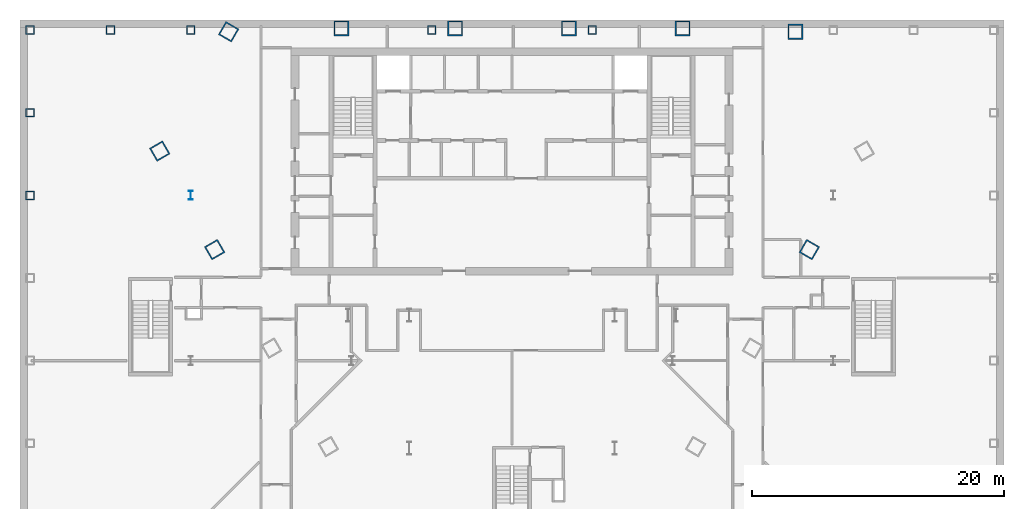
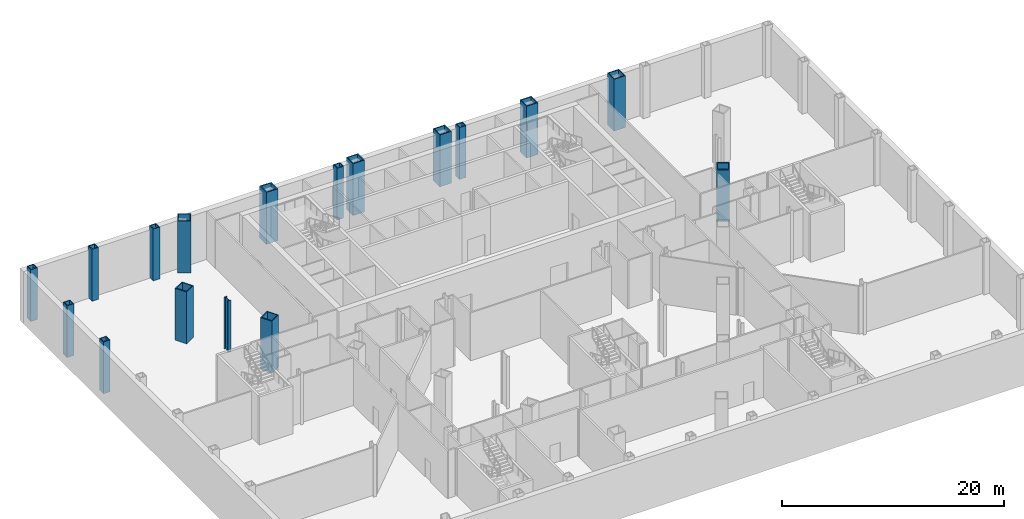
# One storey, part 2 of 17: 17 columns.
"""IFC4 building model written with IfcOpenShell, lengths in metres."""

from ifc_helpers import new_model, si_unit, direction, frame, origin, origin_2d, place, context, subcontext, project, spatial, hollow_rectangle, i_section, extrude, material, material_profile, profile_set, type_object, element, save


model = new_model("IFC4")

# Units and contexts
model_context = context("Model", 3, precision=1e-05, world=origin(), true_north=direction((0.0, 1.0)))
body_context = subcontext(model_context, "Body", "Model", "MODEL_VIEW")
ifc_project = project(units=[si_unit("LENGTHUNIT", "METRE"), si_unit("AREAUNIT", "SQUARE_METRE"), si_unit("VOLUMEUNIT", "CUBIC_METRE"), si_unit("PLANEANGLEUNIT", "RADIAN"), si_unit("MASSUNIT", "GRAM", prefix="KILO")], contexts=[model_context])

# Site, building, storey
site_placement = place(None, origin())
site = spatial("IfcSite", under=ifc_project, at=site_placement, CompositionType="ELEMENT")
building_placement = place(site_placement, origin())
building = spatial("IfcBuilding", under=site, at=building_placement, Name="Njiva Tower", CompositionType="ELEMENT")
storey_placement = place(building_placement, frame((0.0, 0.0, -11.4)))
storey = spatial("IfcBuildingStorey", under=building, at=storey_placement, Name="B2", CompositionType="ELEMENT", Elevation=-11.4)

# Columns
ifc_material = material(Name="Steel S355 J2", Category="steel")
ifc_material_profile_1 = material_profile(ifc_material, hollow_rectangle(XDim=1.2, YDim=1.2, WallThickness=0.1, at=origin_2d()), Name="BOX 1200x1200x100")
ifc_profile_set_1 = profile_set([ifc_material_profile_1], Name="Steel S355 J2")
column_type_1 = type_object("IfcColumnType", Name="C1 Mega-column BOX 1200x1200x100", PredefinedType="COLUMN", material=ifc_profile_set_1)
for number, where, z_axis, x_axis, name in (
    (1, (22.461, 19.267, 0.0), (0.0, 0.0, 1.0), (-1.0, 0.0, 0.0), "Mega-column B2-C01"),
    (2, (13.523, 19.54, 0.0), (0.0, 0.0, 1.0), (-1.0, 0.0, 0.0), "Mega-column B2-C02"),
    (3, (4.508, 19.54, 0.0), (0.0, 0.0, 1.0), (-1.0, 0.0, 0.0), "Mega-column B2-C03"),
    (4, (-4.508, 19.54, 0.0), (0.0, 0.0, 1.0), (-1.0, 0.0, 0.0), "Mega-column B2-C04"),
    (5, (-13.523, 19.54, 0.0), (0.0, 0.0, 1.0), (-1.0, 0.0, 0.0), "Mega-column B2-C05"),
    (6, (-22.461, 19.267, 0.0), (0.0, 0.0, 1.0), (-0.5, -0.866025403784, 0.0), "Mega-column B2-C06"),
    (7, (-27.923, 9.808, 0.0), (0.0, 0.0, 1.0), (0.5, -0.866025403784, 0.0), "Mega-column B2-C07"),
    (8, (-23.569, 2.0, 0.0), (0.0, 0.0, 1.0), (0.5, -0.866025403784, 0.0), "Mega-column B2-C08"),
    (9, (23.569, 2.0, 0.0), (0.0, 0.0, 1.0), (0.5, 0.866025403784, 0.0), "Mega-column B2-C17"),
):
    element("IfcColumn", number, at=place(storey_placement, frame(where, z_axis=z_axis, x_axis=x_axis)), inside=storey, type_object=column_type_1, Name=name, PredefinedType="COLUMN", context=body_context, shape_type="SweptSolid", body=[
        extrude(hollow_rectangle(XDim=1.2, YDim=1.2, WallThickness=0.1, at=origin_2d()), origin(), (0.0, 0.0, 1.0), 5.7),
    ])
ifc_material_profile_2 = material_profile(ifc_material, hollow_rectangle(XDim=0.7, YDim=0.7, WallThickness=0.08, at=origin_2d()), Name="BOX 700x700x80")
ifc_profile_set_2 = profile_set([ifc_material_profile_2], Name="Steel S355 J2")
column_type_2 = type_object("IfcColumnType", Name="C3 Podium perimeter column BOX 700x700x80", PredefinedType="COLUMN", material=ifc_profile_set_2)
for number, where, z_axis, x_axis, name in (
    (10, (6.367, 19.4, 0.0), (0.0, 0.0, 1.0), (-1.0, 0.0, 0.0), "Podium perimeter column B2-C38"),
    (11, (-6.367, 19.4, 0.0), (0.0, 0.0, 1.0), (-1.0, 0.0, 0.0), "Podium perimeter column B2-C39"),
    (12, (-25.467, 19.4, 0.0), (0.0, 0.0, 1.0), (-1.0, 0.0, 0.0), "Podium perimeter column B2-C40"),
    (13, (-31.833, 19.4, 0.0), (0.0, 0.0, 1.0), (-1.0, 0.0, 0.0), "Podium perimeter column B2-C41"),
    (14, (-38.2, 19.4, 0.0), (0.0, 0.0, 1.0), (0.0, -1.0, 0.0), "Podium perimeter column B2-C42"),
    (15, (-38.2, 12.85, 0.0), (0.0, 0.0, 1.0), (0.0, -1.0, 0.0), "Podium perimeter column B2-C43"),
    (16, (-38.2, 6.3, 0.0), (0.0, 0.0, 1.0), (0.0, -1.0, 0.0), "Podium perimeter column B2-C44"),
):
    element("IfcColumn", number, at=place(storey_placement, frame(where, z_axis=z_axis, x_axis=x_axis)), inside=storey, type_object=column_type_2, Name=name, PredefinedType="COLUMN", context=body_context, shape_type="SweptSolid", body=[
        extrude(hollow_rectangle(XDim=0.7, YDim=0.7, WallThickness=0.08, at=origin_2d()), origin(), (0.0, 0.0, 1.0), 5.7),
    ])
ifc_material_profile_3 = material_profile(ifc_material, i_section(OverallWidth=0.304, OverallDepth=0.716, WebThickness=0.021, FlangeThickness=0.04, at=origin_2d()), Name="HEM 700")
ifc_profile_set_3 = profile_set([ifc_material_profile_3], Name="Steel S355 J2")
column_type_3 = type_object("IfcColumnType", Name="C4 Station column HEM 700", PredefinedType="COLUMN", material=ifc_profile_set_3)
column_placement = place(storey_placement, frame((-25.467, 6.3, 0.0), z_axis=(0.0, 0.0, 1.0), x_axis=(1.0, 0.0, 0.0)))
element("IfcColumn", 17, at=column_placement, inside=storey, type_object=column_type_3, Name="Station column B2-C62", PredefinedType="COLUMN", context=body_context, shape_type="SweptSolid", body=[
    extrude(i_section(OverallWidth=0.304, OverallDepth=0.716, WebThickness=0.021, FlangeThickness=0.04, at=origin_2d()), origin(), (0.0, 0.0, 1.0), 5.7),
])

save(model, "model.ifc")
